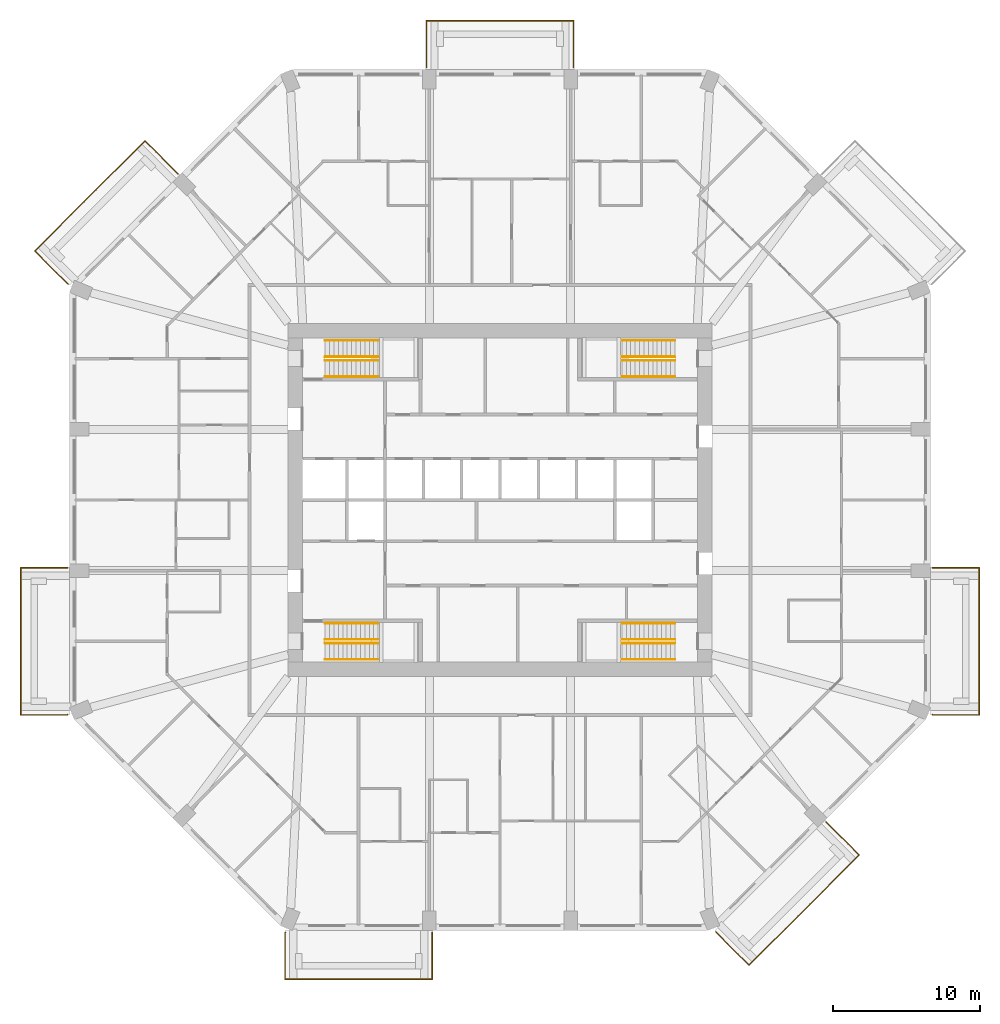
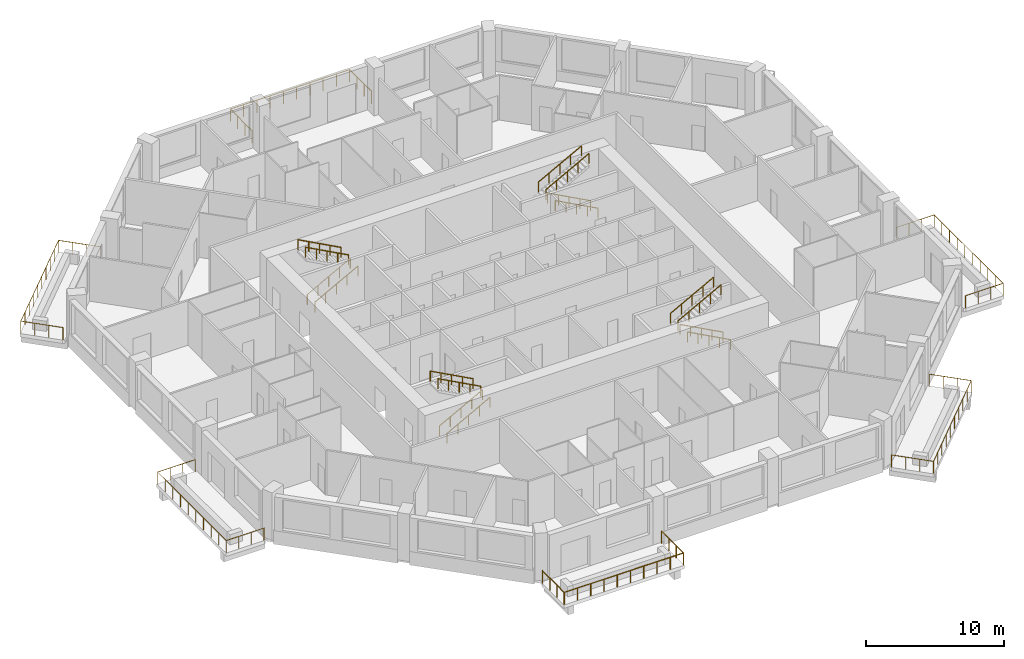
# One storey, part 12 of 13: 22 railings.
"""IFC4 building model written with IfcOpenShell, lengths in metres."""

from ifc_helpers import new_model, si_unit, direction, frame, origin, origin_2d, place, context, subcontext, project, spatial, circle, extrude, material, constituent, constituent_set, type_object, element, save


model = new_model("IFC4")

# Units and contexts
model_context = context("Model", 3, precision=1e-05, world=origin(), true_north=direction((0.0, 1.0)))
body_context = subcontext(model_context, "Body", "Model", "MODEL_VIEW")
ifc_project = project(units=[si_unit("LENGTHUNIT", "METRE"), si_unit("AREAUNIT", "SQUARE_METRE"), si_unit("VOLUMEUNIT", "CUBIC_METRE"), si_unit("PLANEANGLEUNIT", "RADIAN"), si_unit("MASSUNIT", "GRAM", prefix="KILO")], contexts=[model_context])

# Site, building, storey
site_placement = place(None, origin())
site = spatial("IfcSite", under=ifc_project, at=site_placement, CompositionType="ELEMENT")
building_placement = place(site_placement, origin())
building = spatial("IfcBuilding", under=site, at=building_placement, Name="Msitu Wima Residences", CompositionType="ELEMENT")
storey_placement = place(building_placement, frame((0.0, 0.0, 88.5)))
storey = spatial("IfcBuildingStorey", under=building, at=storey_placement, Name="L20", CompositionType="ELEMENT", Elevation=88.5)

# Railings
ifc_material_1 = material(Name="Steel S355", Category="steel")
ifc_constituent_1 = constituent(ifc_material_1, Name="Steel S355")
ifc_material_2 = material(Name="Weathering patina")
ifc_constituent_2 = constituent(ifc_material_2, Name="Weathering patina")
ifc_constituent_set_1 = constituent_set(constituents=[ifc_constituent_1, ifc_constituent_2], Name="Steel S355")
railing_type_1 = type_object("IfcRailingType", Name="Balcony guard GR1100", PredefinedType="GUARDRAIL", material=ifc_constituent_set_1)
railing_1_placement = place(storey_placement, frame((29.3798828125, -4.60009765625, 0.0)))
element("IfcRailing", 1, at=railing_1_placement, inside=storey, type_object=railing_type_1, Name="Balcony guard E0 L20", PredefinedType="GUARDRAIL", context=body_context, shape_type="SweptSolid", body=[
    extrude(circle(Radius=0.02392578125, at=origin_2d()), frame((0.0, 0.0, 1.076171875), z_axis=(1.0, 0.0, 0.0), x_axis=(0.0, 1.0, 0.0)), (0.0, 0.0, 1.0), 3.170166015625),
    extrude(circle(Radius=0.02392578125, at=origin_2d()), frame((3.170166015625, 0.0, 1.076171875), z_axis=(0.0, -1.0, 0.0), x_axis=(1.0, 0.0, 0.0)), (0.0, 0.0, 1.0), 10.0),
    extrude(circle(Radius=0.02392578125, at=origin_2d()), frame((3.170166015625, -10.0, 1.076171875), z_axis=(-1.0, 0.0, 0.0), x_axis=(0.0, -1.0, 0.0)), (0.0, 0.0, 1.0), 3.136474609375),
    extrude(circle(Radius=0.02392578125, at=origin_2d()), frame((0.03369140625, -10.0, 1.076171875), z_axis=(-0.92426142649, 0.38176015442, 0.0), x_axis=(-0.38176015442, -0.92426142649, 0.0)), (0.0, 0.0, 1.0), 0.036376953125),
    extrude(circle(Radius=0.02099609375, at=origin_2d()), origin(), (0.0, 0.0, 1.0), 1.052001953125),
    extrude(circle(Radius=0.02099609375, at=origin_2d()), frame((1.056640625, 0.0, 0.0)), (0.0, 0.0, 1.0), 1.052001953125),
    extrude(circle(Radius=0.02099609375, at=origin_2d()), frame((2.113525390625, 0.0, 0.0)), (0.0, 0.0, 1.0), 1.052001953125),
    extrude(circle(Radius=0.02099609375, at=origin_2d()), frame((3.170166015625, 0.0, 0.0)), (0.0, 0.0, 1.0), 1.052001953125),
    extrude(circle(Radius=0.02099609375, at=origin_2d()), frame((3.170166015625, -1.111083984375, 0.0)), (0.0, 0.0, 1.0), 1.052001953125),
    extrude(circle(Radius=0.02099609375, at=origin_2d()), frame((3.170166015625, -2.22216796875, 0.0)), (0.0, 0.0, 1.0), 1.052001953125),
    extrude(circle(Radius=0.02099609375, at=origin_2d()), frame((3.170166015625, -3.333251953125, 0.0)), (0.0, 0.0, 1.0), 1.052001953125),
    extrude(circle(Radius=0.02099609375, at=origin_2d()), frame((3.170166015625, -4.4443359375, 0.0)), (0.0, 0.0, 1.0), 1.052001953125),
    extrude(circle(Radius=0.02099609375, at=origin_2d()), frame((3.170166015625, -5.5556640625, 0.0)), (0.0, 0.0, 1.0), 1.052001953125),
    extrude(circle(Radius=0.02099609375, at=origin_2d()), frame((3.170166015625, -6.666748046875, 0.0)), (0.0, 0.0, 1.0), 1.052001953125),
    extrude(circle(Radius=0.02099609375, at=origin_2d()), frame((3.170166015625, -7.77783203125, 0.0)), (0.0, 0.0, 1.0), 1.052001953125),
    extrude(circle(Radius=0.02099609375, at=origin_2d()), frame((3.170166015625, -8.888916015625, 0.0)), (0.0, 0.0, 1.0), 1.052001953125),
    extrude(circle(Radius=0.02099609375, at=origin_2d()), frame((3.170166015625, -10.0, 0.0)), (0.0, 0.0, 1.0), 1.052001953125),
    extrude(circle(Radius=0.02099609375, at=origin_2d()), frame((2.124755859375, -10.0, 0.0)), (0.0, 0.0, 1.0), 1.052001953125),
    extrude(circle(Radius=0.02099609375, at=origin_2d()), frame((1.0791015625, -10.0, 0.0)), (0.0, 0.0, 1.0), 1.052001953125),
    extrude(circle(Radius=0.02099609375, at=origin_2d()), frame((0.03369140625, -10.0, 0.0)), (0.0, 0.0, 1.0), 1.052001953125),
    extrude(circle(Radius=0.02099609375, at=origin_2d()), frame((0.0, -9.986083984375, 0.0)), (0.0, 0.0, 1.0), 1.052001953125),
])
railing_2_placement = place(storey_placement, frame((-5.0, 29.3798828125, 0.0)))
element("IfcRailing", 2, at=railing_2_placement, inside=storey, type_object=railing_type_1, Name="Balcony guard N1 L20", PredefinedType="GUARDRAIL", context=body_context, shape_type="SweptSolid", body=[
    extrude(circle(Radius=0.02392578125, at=origin_2d()), frame((0.0, 0.0, 1.076171875), z_axis=(0.0, 1.0, 0.0), x_axis=(-1.0, 0.0, 0.0)), (0.0, 0.0, 1.0), 3.170166015625),
    extrude(circle(Radius=0.02392578125, at=origin_2d()), frame((0.0, 3.170166015625, 1.076171875), z_axis=(1.0, 0.0, 0.0), x_axis=(0.0, 1.0, 0.0)), (0.0, 0.0, 1.0), 10.0),
    extrude(circle(Radius=0.02392578125, at=origin_2d()), frame((10.0, 3.170166015625, 1.076171875), z_axis=(0.0, -1.0, 0.0), x_axis=(1.0, 0.0, 0.0)), (0.0, 0.0, 1.0), 3.170166015625),
    extrude(circle(Radius=0.02099609375, at=origin_2d()), origin(), (0.0, 0.0, 1.0), 1.052001953125),
    extrude(circle(Radius=0.02099609375, at=origin_2d()), frame((0.0, 1.056640625, 0.0)), (0.0, 0.0, 1.0), 1.052001953125),
    extrude(circle(Radius=0.02099609375, at=origin_2d()), frame((0.0, 2.113525390625, 0.0)), (0.0, 0.0, 1.0), 1.052001953125),
    extrude(circle(Radius=0.02099609375, at=origin_2d()), frame((0.0, 3.170166015625, 0.0)), (0.0, 0.0, 1.0), 1.052001953125),
    extrude(circle(Radius=0.02099609375, at=origin_2d()), frame((1.111083984375, 3.170166015625, 0.0)), (0.0, 0.0, 1.0), 1.052001953125),
    extrude(circle(Radius=0.02099609375, at=origin_2d()), frame((2.22216796875, 3.170166015625, 0.0)), (0.0, 0.0, 1.0), 1.052001953125),
    extrude(circle(Radius=0.02099609375, at=origin_2d()), frame((3.333251953125, 3.170166015625, 0.0)), (0.0, 0.0, 1.0), 1.052001953125),
    extrude(circle(Radius=0.02099609375, at=origin_2d()), frame((4.4443359375, 3.170166015625, 0.0)), (0.0, 0.0, 1.0), 1.052001953125),
    extrude(circle(Radius=0.02099609375, at=origin_2d()), frame((5.5556640625, 3.170166015625, 0.0)), (0.0, 0.0, 1.0), 1.052001953125),
    extrude(circle(Radius=0.02099609375, at=origin_2d()), frame((6.666748046875, 3.170166015625, 0.0)), (0.0, 0.0, 1.0), 1.052001953125),
    extrude(circle(Radius=0.02099609375, at=origin_2d()), frame((7.77783203125, 3.170166015625, 0.0)), (0.0, 0.0, 1.0), 1.052001953125),
    extrude(circle(Radius=0.02099609375, at=origin_2d()), frame((8.888916015625, 3.170166015625, 0.0)), (0.0, 0.0, 1.0), 1.052001953125),
    extrude(circle(Radius=0.02099609375, at=origin_2d()), frame((10.0, 3.170166015625, 0.0)), (0.0, 0.0, 1.0), 1.052001953125),
    extrude(circle(Radius=0.02099609375, at=origin_2d()), frame((10.0, 2.113525390625, 0.0)), (0.0, 0.0, 1.0), 1.052001953125),
    extrude(circle(Radius=0.02099609375, at=origin_2d()), frame((10.0, 1.056640625, 0.0)), (0.0, 0.0, 1.0), 1.052001953125),
    extrude(circle(Radius=0.02099609375, at=origin_2d()), frame((10.0, 0.0, 0.0)), (0.0, 0.0, 1.0), 1.052001953125),
])
railing_3_placement = place(storey_placement, frame((-29.341796875, 14.678466796875, 0.0)))
element("IfcRailing", 3, at=railing_3_placement, inside=storey, type_object=railing_type_1, Name="Balcony guard NW1 L20", PredefinedType="GUARDRAIL", context=body_context, shape_type="SweptSolid", body=[
    extrude(circle(Radius=0.02392578125, at=origin_2d()), frame((0.0, 0.0, 1.076171875), z_axis=(-0.923276184907, 0.384136806859, 0.0), x_axis=(-0.384136806859, -0.923276184907, 0.0)), (0.0, 0.0, 1.0), 0.0361328125),
    extrude(circle(Radius=0.02392578125, at=origin_2d()), frame((-0.033447265625, 0.013916015625, 1.076171875), z_axis=(-0.707106781187, 0.707106781187, 0.0), x_axis=(-0.707106781187, -0.707106781187, 0.0)), (0.0, 0.0, 1.0), 3.136474609375),
    extrude(circle(Radius=0.02392578125, at=origin_2d()), frame((-2.251220703125, 2.231689453125, 1.076171875), z_axis=(0.70709524572, 0.707118316465, 0.0), x_axis=(-0.707118316465, 0.70709524572, 0.0)), (0.0, 0.0, 1.0), 10.582275390625),
    extrude(circle(Radius=0.02392578125, at=origin_2d()), frame((5.2314453125, 9.714599609375, 1.076171875), z_axis=(0.707145287287, -0.707068272989, 0.0), x_axis=(0.707068272989, 0.707145287287, 0.0)), (0.0, 0.0, 1.0), 3.170166015625),
    extrude(circle(Radius=0.02099609375, at=origin_2d()), origin(), (0.0, 0.0, 1.0), 1.052001953125),
    extrude(circle(Radius=0.02099609375, at=origin_2d()), frame((-0.033447265625, 0.013916015625, 0.0)), (0.0, 0.0, 1.0), 1.052001953125),
    extrude(circle(Radius=0.02099609375, at=origin_2d()), frame((-0.772705078125, 0.753173828125, 0.0)), (0.0, 0.0, 1.0), 1.052001953125),
    extrude(circle(Radius=0.02099609375, at=origin_2d()), frame((-1.511962890625, 1.492431640625, 0.0)), (0.0, 0.0, 1.0), 1.052001953125),
    extrude(circle(Radius=0.02099609375, at=origin_2d()), frame((-2.251220703125, 2.231689453125, 0.0)), (0.0, 0.0, 1.0), 1.052001953125),
    extrude(circle(Radius=0.02099609375, at=origin_2d()), frame((-1.419921875, 3.063232421875, 0.0)), (0.0, 0.0, 1.0), 1.052001953125),
    extrude(circle(Radius=0.02099609375, at=origin_2d()), frame((-0.58837890625, 3.89453125, 0.0)), (0.0, 0.0, 1.0), 1.052001953125),
    extrude(circle(Radius=0.02099609375, at=origin_2d()), frame((0.242919921875, 4.72607421875, 0.0)), (0.0, 0.0, 1.0), 1.052001953125),
    extrude(circle(Radius=0.02099609375, at=origin_2d()), frame((1.074462890625, 5.557373046875, 0.0)), (0.0, 0.0, 1.0), 1.052001953125),
    extrude(circle(Radius=0.02099609375, at=origin_2d()), frame((1.90576171875, 6.388916015625, 0.0)), (0.0, 0.0, 1.0), 1.052001953125),
    extrude(circle(Radius=0.02099609375, at=origin_2d()), frame((2.7373046875, 7.22021484375, 0.0)), (0.0, 0.0, 1.0), 1.052001953125),
    extrude(circle(Radius=0.02099609375, at=origin_2d()), frame((3.568603515625, 8.0517578125, 0.0)), (0.0, 0.0, 1.0), 1.052001953125),
    extrude(circle(Radius=0.02099609375, at=origin_2d()), frame((4.400146484375, 8.883056640625, 0.0)), (0.0, 0.0, 1.0), 1.052001953125),
    extrude(circle(Radius=0.02099609375, at=origin_2d()), frame((5.2314453125, 9.714599609375, 0.0)), (0.0, 0.0, 1.0), 1.052001953125),
    extrude(circle(Radius=0.02099609375, at=origin_2d()), frame((5.978759765625, 8.967529296875, 0.0)), (0.0, 0.0, 1.0), 1.052001953125),
    extrude(circle(Radius=0.02099609375, at=origin_2d()), frame((6.725830078125, 8.22021484375, 0.0)), (0.0, 0.0, 1.0), 1.052001953125),
    extrude(circle(Radius=0.02099609375, at=origin_2d()), frame((7.47314453125, 7.47314453125, 0.0)), (0.0, 0.0, 1.0), 1.052001953125),
])
railing_4_placement = place(storey_placement, frame((-29.3798828125, -14.586181640625, 0.0)))
element("IfcRailing", 4, at=railing_4_placement, inside=storey, type_object=railing_type_1, Name="Balcony guard W2 L20", PredefinedType="GUARDRAIL", context=body_context, shape_type="SweptSolid", body=[
    extrude(circle(Radius=0.02392578125, at=origin_2d()), frame((0.0, 0.0, 1.076171875), z_axis=(-0.92426142649, -0.38176015442, 0.0), x_axis=(0.38176015442, -0.92426142649, 0.0)), (0.0, 0.0, 1.0), 0.036376953125),
    extrude(circle(Radius=0.02392578125, at=origin_2d()), frame((-0.03369140625, -0.013916015625, 1.076171875), z_axis=(-1.0, 0.0, 0.0), x_axis=(0.0, -1.0, 0.0)), (0.0, 0.0, 1.0), 3.136474609375),
    extrude(circle(Radius=0.02392578125, at=origin_2d()), frame((-3.170166015625, -0.013916015625, 1.076171875), z_axis=(0.0, 1.0, 0.0), x_axis=(-1.0, 0.0, 0.0)), (0.0, 0.0, 1.0), 10.0),
    extrude(circle(Radius=0.02392578125, at=origin_2d()), frame((-3.170166015625, 9.986083984375, 1.076171875), z_axis=(1.0, 0.0, 0.0), x_axis=(0.0, 1.0, 0.0)), (0.0, 0.0, 1.0), 3.170166015625),
    extrude(circle(Radius=0.02099609375, at=origin_2d()), origin(), (0.0, 0.0, 1.0), 1.052001953125),
    extrude(circle(Radius=0.02099609375, at=origin_2d()), frame((-0.03369140625, -0.013916015625, 0.0)), (0.0, 0.0, 1.0), 1.052001953125),
    extrude(circle(Radius=0.02099609375, at=origin_2d()), frame((-1.0791015625, -0.013916015625, 0.0)), (0.0, 0.0, 1.0), 1.052001953125),
    extrude(circle(Radius=0.02099609375, at=origin_2d()), frame((-2.124755859375, -0.013916015625, 0.0)), (0.0, 0.0, 1.0), 1.052001953125),
    extrude(circle(Radius=0.02099609375, at=origin_2d()), frame((-3.170166015625, -0.013916015625, 0.0)), (0.0, 0.0, 1.0), 1.052001953125),
    extrude(circle(Radius=0.02099609375, at=origin_2d()), frame((-3.170166015625, 1.09716796875, 0.0)), (0.0, 0.0, 1.0), 1.052001953125),
    extrude(circle(Radius=0.02099609375, at=origin_2d()), frame((-3.170166015625, 2.208251953125, 0.0)), (0.0, 0.0, 1.0), 1.052001953125),
    extrude(circle(Radius=0.02099609375, at=origin_2d()), frame((-3.170166015625, 3.3193359375, 0.0)), (0.0, 0.0, 1.0), 1.052001953125),
    extrude(circle(Radius=0.02099609375, at=origin_2d()), frame((-3.170166015625, 4.430419921875, 0.0)), (0.0, 0.0, 1.0), 1.052001953125),
    extrude(circle(Radius=0.02099609375, at=origin_2d()), frame((-3.170166015625, 5.541748046875, 0.0)), (0.0, 0.0, 1.0), 1.052001953125),
    extrude(circle(Radius=0.02099609375, at=origin_2d()), frame((-3.170166015625, 6.65283203125, 0.0)), (0.0, 0.0, 1.0), 1.052001953125),
    extrude(circle(Radius=0.02099609375, at=origin_2d()), frame((-3.170166015625, 7.763916015625, 0.0)), (0.0, 0.0, 1.0), 1.052001953125),
    extrude(circle(Radius=0.02099609375, at=origin_2d()), frame((-3.170166015625, 8.875, 0.0)), (0.0, 0.0, 1.0), 1.052001953125),
    extrude(circle(Radius=0.02099609375, at=origin_2d()), frame((-3.170166015625, 9.986083984375, 0.0)), (0.0, 0.0, 1.0), 1.052001953125),
    extrude(circle(Radius=0.02099609375, at=origin_2d()), frame((-2.113525390625, 9.986083984375, 0.0)), (0.0, 0.0, 1.0), 1.052001953125),
    extrude(circle(Radius=0.02099609375, at=origin_2d()), frame((-1.056640625, 9.986083984375, 0.0)), (0.0, 0.0, 1.0), 1.052001953125),
    extrude(circle(Radius=0.02099609375, at=origin_2d()), frame((0.0, 9.986083984375, 0.0)), (0.0, 0.0, 1.0), 1.052001953125),
])
railing_5_placement = place(storey_placement, frame((-4.60009765625, -29.3798828125, 0.0)))
element("IfcRailing", 5, at=railing_5_placement, inside=storey, type_object=railing_type_1, Name="Balcony guard S0 L20", PredefinedType="GUARDRAIL", context=body_context, shape_type="SweptSolid", body=[
    extrude(circle(Radius=0.02392578125, at=origin_2d()), frame((0.0, 0.0, 1.076171875), z_axis=(0.0, -1.0, 0.0), x_axis=(1.0, 0.0, 0.0)), (0.0, 0.0, 1.0), 3.170166015625),
    extrude(circle(Radius=0.02392578125, at=origin_2d()), frame((0.0, -3.170166015625, 1.076171875), z_axis=(-1.0, 0.0, 0.0), x_axis=(0.0, -1.0, 0.0)), (0.0, 0.0, 1.0), 10.0),
    extrude(circle(Radius=0.02392578125, at=origin_2d()), frame((-10.0, -3.170166015625, 1.076171875), z_axis=(0.0, 1.0, 0.0), x_axis=(-1.0, 0.0, 0.0)), (0.0, 0.0, 1.0), 3.136474609375),
    extrude(circle(Radius=0.02392578125, at=origin_2d()), frame((-10.0, -0.03369140625, 1.076171875), z_axis=(0.38176015442, 0.92426142649, 0.0), x_axis=(-0.92426142649, 0.38176015442, 0.0)), (0.0, 0.0, 1.0), 0.036376953125),
    extrude(circle(Radius=0.02099609375, at=origin_2d()), origin(), (0.0, 0.0, 1.0), 1.052001953125),
    extrude(circle(Radius=0.02099609375, at=origin_2d()), frame((0.0, -1.056640625, 0.0)), (0.0, 0.0, 1.0), 1.052001953125),
    extrude(circle(Radius=0.02099609375, at=origin_2d()), frame((0.0, -2.113525390625, 0.0)), (0.0, 0.0, 1.0), 1.052001953125),
    extrude(circle(Radius=0.02099609375, at=origin_2d()), frame((0.0, -3.170166015625, 0.0)), (0.0, 0.0, 1.0), 1.052001953125),
    extrude(circle(Radius=0.02099609375, at=origin_2d()), frame((-1.111083984375, -3.170166015625, 0.0)), (0.0, 0.0, 1.0), 1.052001953125),
    extrude(circle(Radius=0.02099609375, at=origin_2d()), frame((-2.22216796875, -3.170166015625, 0.0)), (0.0, 0.0, 1.0), 1.052001953125),
    extrude(circle(Radius=0.02099609375, at=origin_2d()), frame((-3.333251953125, -3.170166015625, 0.0)), (0.0, 0.0, 1.0), 1.052001953125),
    extrude(circle(Radius=0.02099609375, at=origin_2d()), frame((-4.4443359375, -3.170166015625, 0.0)), (0.0, 0.0, 1.0), 1.052001953125),
    extrude(circle(Radius=0.02099609375, at=origin_2d()), frame((-5.5556640625, -3.170166015625, 0.0)), (0.0, 0.0, 1.0), 1.052001953125),
    extrude(circle(Radius=0.02099609375, at=origin_2d()), frame((-6.666748046875, -3.170166015625, 0.0)), (0.0, 0.0, 1.0), 1.052001953125),
    extrude(circle(Radius=0.02099609375, at=origin_2d()), frame((-7.77783203125, -3.170166015625, 0.0)), (0.0, 0.0, 1.0), 1.052001953125),
    extrude(circle(Radius=0.02099609375, at=origin_2d()), frame((-8.888916015625, -3.170166015625, 0.0)), (0.0, 0.0, 1.0), 1.052001953125),
    extrude(circle(Radius=0.02099609375, at=origin_2d()), frame((-10.0, -3.170166015625, 0.0)), (0.0, 0.0, 1.0), 1.052001953125),
    extrude(circle(Radius=0.02099609375, at=origin_2d()), frame((-10.0, -2.124755859375, 0.0)), (0.0, 0.0, 1.0), 1.052001953125),
    extrude(circle(Radius=0.02099609375, at=origin_2d()), frame((-10.0, -1.0791015625, 0.0)), (0.0, 0.0, 1.0), 1.052001953125),
    extrude(circle(Radius=0.02099609375, at=origin_2d()), frame((-10.0, -0.03369140625, 0.0)), (0.0, 0.0, 1.0), 1.052001953125),
    extrude(circle(Radius=0.02099609375, at=origin_2d()), frame((-9.986083984375, 0.0, 0.0)), (0.0, 0.0, 1.0), 1.052001953125),
])
railing_6_placement = place(storey_placement, frame((22.151611328125, -21.86865234375, 0.0)))
element("IfcRailing", 6, at=railing_6_placement, inside=storey, type_object=railing_type_1, Name="Balcony guard SE0 L20", PredefinedType="GUARDRAIL", context=body_context, shape_type="SweptSolid", body=[
    extrude(circle(Radius=0.02392578125, at=origin_2d()), frame((0.0, 0.0, 1.076171875), z_axis=(0.707068272989, -0.707145287287, 0.0), x_axis=(0.707145287287, 0.707068272989, 0.0)), (0.0, 0.0, 1.0), 3.170166015625),
    extrude(circle(Radius=0.02392578125, at=origin_2d()), frame((2.241455078125, -2.24169921875, 1.076171875), z_axis=(-0.707118316465, -0.70709524572, 0.0), x_axis=(0.70709524572, -0.707118316465, 0.0)), (0.0, 0.0, 1.0), 10.582275390625),
    extrude(circle(Radius=0.02392578125, at=origin_2d()), frame((-5.241455078125, -9.724365234375, 1.076171875), z_axis=(-0.707106781187, 0.707106781187, 0.0), x_axis=(-0.707106781187, -0.707106781187, 0.0)), (0.0, 0.0, 1.0), 3.136474609375),
    extrude(circle(Radius=0.02392578125, at=origin_2d()), frame((-7.459228515625, -7.506591796875, 1.076171875), z_axis=(-0.384136806859, 0.923276184907, 0.0), x_axis=(-0.923276184907, -0.384136806859, 0.0)), (0.0, 0.0, 1.0), 0.0361328125),
    extrude(circle(Radius=0.02099609375, at=origin_2d()), origin(), (0.0, 0.0, 1.0), 1.052001953125),
    extrude(circle(Radius=0.02099609375, at=origin_2d()), frame((0.7470703125, -0.747314453125, 0.0)), (0.0, 0.0, 1.0), 1.052001953125),
    extrude(circle(Radius=0.02099609375, at=origin_2d()), frame((1.494384765625, -1.494384765625, 0.0)), (0.0, 0.0, 1.0), 1.052001953125),
    extrude(circle(Radius=0.02099609375, at=origin_2d()), frame((2.241455078125, -2.24169921875, 0.0)), (0.0, 0.0, 1.0), 1.052001953125),
    extrude(circle(Radius=0.02099609375, at=origin_2d()), frame((1.409912109375, -3.072998046875, 0.0)), (0.0, 0.0, 1.0), 1.052001953125),
    extrude(circle(Radius=0.02099609375, at=origin_2d()), frame((0.57861328125, -3.904541015625, 0.0)), (0.0, 0.0, 1.0), 1.052001953125),
    extrude(circle(Radius=0.02099609375, at=origin_2d()), frame((-0.2529296875, -4.73583984375, 0.0)), (0.0, 0.0, 1.0), 1.052001953125),
    extrude(circle(Radius=0.02099609375, at=origin_2d()), frame((-1.084228515625, -5.5673828125, 0.0)), (0.0, 0.0, 1.0), 1.052001953125),
    extrude(circle(Radius=0.02099609375, at=origin_2d()), frame((-1.915771484375, -6.398681640625, 0.0)), (0.0, 0.0, 1.0), 1.052001953125),
    extrude(circle(Radius=0.02099609375, at=origin_2d()), frame((-2.7470703125, -7.230224609375, 0.0)), (0.0, 0.0, 1.0), 1.052001953125),
    extrude(circle(Radius=0.02099609375, at=origin_2d()), frame((-3.57861328125, -8.0615234375, 0.0)), (0.0, 0.0, 1.0), 1.052001953125),
    extrude(circle(Radius=0.02099609375, at=origin_2d()), frame((-4.409912109375, -8.89306640625, 0.0)), (0.0, 0.0, 1.0), 1.052001953125),
    extrude(circle(Radius=0.02099609375, at=origin_2d()), frame((-5.241455078125, -9.724365234375, 0.0)), (0.0, 0.0, 1.0), 1.052001953125),
    extrude(circle(Radius=0.02099609375, at=origin_2d()), frame((-5.980712890625, -8.985107421875, 0.0)), (0.0, 0.0, 1.0), 1.052001953125),
    extrude(circle(Radius=0.02099609375, at=origin_2d()), frame((-6.719970703125, -8.245849609375, 0.0)), (0.0, 0.0, 1.0), 1.052001953125),
    extrude(circle(Radius=0.02099609375, at=origin_2d()), frame((-7.459228515625, -7.506591796875, 0.0)), (0.0, 0.0, 1.0), 1.052001953125),
    extrude(circle(Radius=0.02099609375, at=origin_2d()), frame((-7.47314453125, -7.47314453125, 0.0)), (0.0, 0.0, 1.0), 1.052001953125),
])
ifc_constituent_3 = constituent(ifc_material_1, Name="Steel S355")
ifc_material_3 = material(Name="Black powder coating")
ifc_constituent_4 = constituent(ifc_material_3, Name="Black powder coating")
ifc_constituent_set_2 = constituent_set(constituents=[ifc_constituent_3, ifc_constituent_4], Name="Steel S355")
railing_type_2 = type_object("IfcRailingType", Name="Stair handrail HR1", PredefinedType="HANDRAIL", material=ifc_constituent_set_2)
for number, where, name in (
    (7, (-11.875, 8.375, 0.16162109375), "Stair 1 handrail"),
    (8, (-11.875, 9.47509765625, 0.16162109375), "Stair 1 handrail"),
):
    element("IfcRailing", number, at=place(storey_placement, frame(where)), inside=storey, type_object=railing_type_2, Name=name, PredefinedType="HANDRAIL", context=body_context, shape_type="SweptSolid", body=[
        extrude(circle(Radius=0.02392578125, at=origin_2d()), frame((0.0, 0.0, 0.8759765625), z_axis=(0.880474934443, 0.0, 0.474092701714), x_axis=(0.0, 1.0, 0.0)), (0.0, 0.0, 1.0), 4.0888671875),
        extrude(circle(Radius=0.02099609375, at=origin_2d()), origin(), (0.0, 0.0, 1.0), 0.851806640625),
        extrude(circle(Radius=0.02099609375, at=origin_2d()), frame((0.89990234375, 0.0, 0.484619140625)), (0.0, 0.0, 1.0), 0.851806640625),
        extrude(circle(Radius=0.02099609375, at=origin_2d()), frame((1.800048828125, 0.0, 0.96923828125)), (0.0, 0.0, 1.0), 0.851806640625),
        extrude(circle(Radius=0.02099609375, at=origin_2d()), frame((2.7001953125, 0.0, 1.453857421875)), (0.0, 0.0, 1.0), 0.851806640625),
        extrude(circle(Radius=0.02099609375, at=origin_2d()), frame((3.60009765625, 0.0, 1.9384765625)), (0.0, 0.0, 1.0), 0.851806640625),
    ])
for number, where, name in (
    (9, (-8.27490234375, 9.72509765625, 2.261474609375), "Stair 1 handrail"),
    (10, (-8.27490234375, 10.824951171875, 2.261474609375), "Stair 1 handrail"),
):
    element("IfcRailing", number, at=place(storey_placement, frame(where)), inside=storey, type_object=railing_type_2, Name=name, PredefinedType="HANDRAIL", context=body_context, shape_type="SweptSolid", body=[
        extrude(circle(Radius=0.02392578125, at=origin_2d()), frame((0.0, 0.0, 0.8759765625), z_axis=(-0.880474934443, 0.0, 0.474092701714), x_axis=(0.0, -1.0, 0.0)), (0.0, 0.0, 1.0), 4.0888671875),
        extrude(circle(Radius=0.02099609375, at=origin_2d()), origin(), (0.0, 0.0, 1.0), 0.851806640625),
        extrude(circle(Radius=0.02099609375, at=origin_2d()), frame((-0.89990234375, 0.0, 0.484619140625)), (0.0, 0.0, 1.0), 0.851806640625),
        extrude(circle(Radius=0.02099609375, at=origin_2d()), frame((-1.800048828125, 0.0, 0.96923828125)), (0.0, 0.0, 1.0), 0.851806640625),
        extrude(circle(Radius=0.02099609375, at=origin_2d()), frame((-2.7001953125, 0.0, 1.453857421875)), (0.0, 0.0, 1.0), 0.851806640625),
        extrude(circle(Radius=0.02099609375, at=origin_2d()), frame((-3.60009765625, 0.0, 1.9384765625)), (0.0, 0.0, 1.0), 0.851806640625),
    ])
for number, where, name in (
    (11, (-11.875, -10.824951171875, 0.16162109375), "Stair 2 handrail"),
    (12, (-11.875, -9.72509765625, 0.16162109375), "Stair 2 handrail"),
):
    element("IfcRailing", number, at=place(storey_placement, frame(where)), inside=storey, type_object=railing_type_2, Name=name, PredefinedType="HANDRAIL", context=body_context, shape_type="SweptSolid", body=[
        extrude(circle(Radius=0.02392578125, at=origin_2d()), frame((0.0, 0.0, 0.8759765625), z_axis=(0.880474934443, 0.0, 0.474092701714), x_axis=(0.0, 1.0, 0.0)), (0.0, 0.0, 1.0), 4.0888671875),
        extrude(circle(Radius=0.02099609375, at=origin_2d()), origin(), (0.0, 0.0, 1.0), 0.851806640625),
        extrude(circle(Radius=0.02099609375, at=origin_2d()), frame((0.89990234375, 0.0, 0.484619140625)), (0.0, 0.0, 1.0), 0.851806640625),
        extrude(circle(Radius=0.02099609375, at=origin_2d()), frame((1.800048828125, 0.0, 0.96923828125)), (0.0, 0.0, 1.0), 0.851806640625),
        extrude(circle(Radius=0.02099609375, at=origin_2d()), frame((2.7001953125, 0.0, 1.453857421875)), (0.0, 0.0, 1.0), 0.851806640625),
        extrude(circle(Radius=0.02099609375, at=origin_2d()), frame((3.60009765625, 0.0, 1.9384765625)), (0.0, 0.0, 1.0), 0.851806640625),
    ])
for number, where, name in (
    (13, (-8.27490234375, -9.47509765625, 2.261474609375), "Stair 2 handrail"),
    (14, (-8.27490234375, -8.375, 2.261474609375), "Stair 2 handrail"),
    (15, (11.875, 8.375, 0.16162109375), "Stair 3 handrail"),
    (16, (11.875, 9.47509765625, 0.16162109375), "Stair 3 handrail"),
):
    element("IfcRailing", number, at=place(storey_placement, frame(where)), inside=storey, type_object=railing_type_2, Name=name, PredefinedType="HANDRAIL", context=body_context, shape_type="SweptSolid", body=[
        extrude(circle(Radius=0.02392578125, at=origin_2d()), frame((0.0, 0.0, 0.8759765625), z_axis=(-0.880474934443, 0.0, 0.474092701714), x_axis=(0.0, -1.0, 0.0)), (0.0, 0.0, 1.0), 4.0888671875),
        extrude(circle(Radius=0.02099609375, at=origin_2d()), origin(), (0.0, 0.0, 1.0), 0.851806640625),
        extrude(circle(Radius=0.02099609375, at=origin_2d()), frame((-0.89990234375, 0.0, 0.484619140625)), (0.0, 0.0, 1.0), 0.851806640625),
        extrude(circle(Radius=0.02099609375, at=origin_2d()), frame((-1.800048828125, 0.0, 0.96923828125)), (0.0, 0.0, 1.0), 0.851806640625),
        extrude(circle(Radius=0.02099609375, at=origin_2d()), frame((-2.7001953125, 0.0, 1.453857421875)), (0.0, 0.0, 1.0), 0.851806640625),
        extrude(circle(Radius=0.02099609375, at=origin_2d()), frame((-3.60009765625, 0.0, 1.9384765625)), (0.0, 0.0, 1.0), 0.851806640625),
    ])
for number, where, name in (
    (17, (8.27490234375, 9.72509765625, 2.261474609375), "Stair 3 handrail"),
    (18, (8.27490234375, 10.824951171875, 2.261474609375), "Stair 3 handrail"),
):
    element("IfcRailing", number, at=place(storey_placement, frame(where)), inside=storey, type_object=railing_type_2, Name=name, PredefinedType="HANDRAIL", context=body_context, shape_type="SweptSolid", body=[
        extrude(circle(Radius=0.02392578125, at=origin_2d()), frame((0.0, 0.0, 0.8759765625), z_axis=(0.880474934443, 0.0, 0.474092701714), x_axis=(0.0, 1.0, 0.0)), (0.0, 0.0, 1.0), 4.0888671875),
        extrude(circle(Radius=0.02099609375, at=origin_2d()), origin(), (0.0, 0.0, 1.0), 0.851806640625),
        extrude(circle(Radius=0.02099609375, at=origin_2d()), frame((0.89990234375, 0.0, 0.484619140625)), (0.0, 0.0, 1.0), 0.851806640625),
        extrude(circle(Radius=0.02099609375, at=origin_2d()), frame((1.800048828125, 0.0, 0.96923828125)), (0.0, 0.0, 1.0), 0.851806640625),
        extrude(circle(Radius=0.02099609375, at=origin_2d()), frame((2.7001953125, 0.0, 1.453857421875)), (0.0, 0.0, 1.0), 0.851806640625),
        extrude(circle(Radius=0.02099609375, at=origin_2d()), frame((3.60009765625, 0.0, 1.9384765625)), (0.0, 0.0, 1.0), 0.851806640625),
    ])
for number, where, name in (
    (19, (11.875, -10.824951171875, 0.16162109375), "Stair 4 handrail"),
    (20, (11.875, -9.72509765625, 0.16162109375), "Stair 4 handrail"),
):
    element("IfcRailing", number, at=place(storey_placement, frame(where)), inside=storey, type_object=railing_type_2, Name=name, PredefinedType="HANDRAIL", context=body_context, shape_type="SweptSolid", body=[
        extrude(circle(Radius=0.02392578125, at=origin_2d()), frame((0.0, 0.0, 0.8759765625), z_axis=(-0.880474934443, 0.0, 0.474092701714), x_axis=(0.0, -1.0, 0.0)), (0.0, 0.0, 1.0), 4.0888671875),
        extrude(circle(Radius=0.02099609375, at=origin_2d()), origin(), (0.0, 0.0, 1.0), 0.851806640625),
        extrude(circle(Radius=0.02099609375, at=origin_2d()), frame((-0.89990234375, 0.0, 0.484619140625)), (0.0, 0.0, 1.0), 0.851806640625),
        extrude(circle(Radius=0.02099609375, at=origin_2d()), frame((-1.800048828125, 0.0, 0.96923828125)), (0.0, 0.0, 1.0), 0.851806640625),
        extrude(circle(Radius=0.02099609375, at=origin_2d()), frame((-2.7001953125, 0.0, 1.453857421875)), (0.0, 0.0, 1.0), 0.851806640625),
        extrude(circle(Radius=0.02099609375, at=origin_2d()), frame((-3.60009765625, 0.0, 1.9384765625)), (0.0, 0.0, 1.0), 0.851806640625),
    ])
for number, where, name in (
    (21, (8.27490234375, -9.47509765625, 2.261474609375), "Stair 4 handrail"),
    (22, (8.27490234375, -8.375, 2.261474609375), "Stair 4 handrail"),
):
    element("IfcRailing", number, at=place(storey_placement, frame(where)), inside=storey, type_object=railing_type_2, Name=name, PredefinedType="HANDRAIL", context=body_context, shape_type="SweptSolid", body=[
        extrude(circle(Radius=0.02392578125, at=origin_2d()), frame((0.0, 0.0, 0.8759765625), z_axis=(0.880474934443, 0.0, 0.474092701714), x_axis=(0.0, 1.0, 0.0)), (0.0, 0.0, 1.0), 4.0888671875),
        extrude(circle(Radius=0.02099609375, at=origin_2d()), origin(), (0.0, 0.0, 1.0), 0.851806640625),
        extrude(circle(Radius=0.02099609375, at=origin_2d()), frame((0.89990234375, 0.0, 0.484619140625)), (0.0, 0.0, 1.0), 0.851806640625),
        extrude(circle(Radius=0.02099609375, at=origin_2d()), frame((1.800048828125, 0.0, 0.96923828125)), (0.0, 0.0, 1.0), 0.851806640625),
        extrude(circle(Radius=0.02099609375, at=origin_2d()), frame((2.7001953125, 0.0, 1.453857421875)), (0.0, 0.0, 1.0), 0.851806640625),
        extrude(circle(Radius=0.02099609375, at=origin_2d()), frame((3.60009765625, 0.0, 1.9384765625)), (0.0, 0.0, 1.0), 0.851806640625),
    ])

save(model, "model.ifc")
